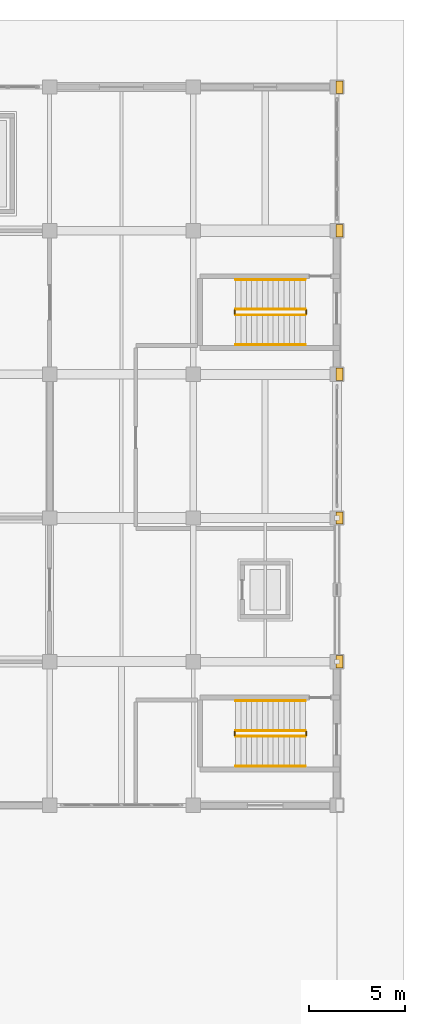
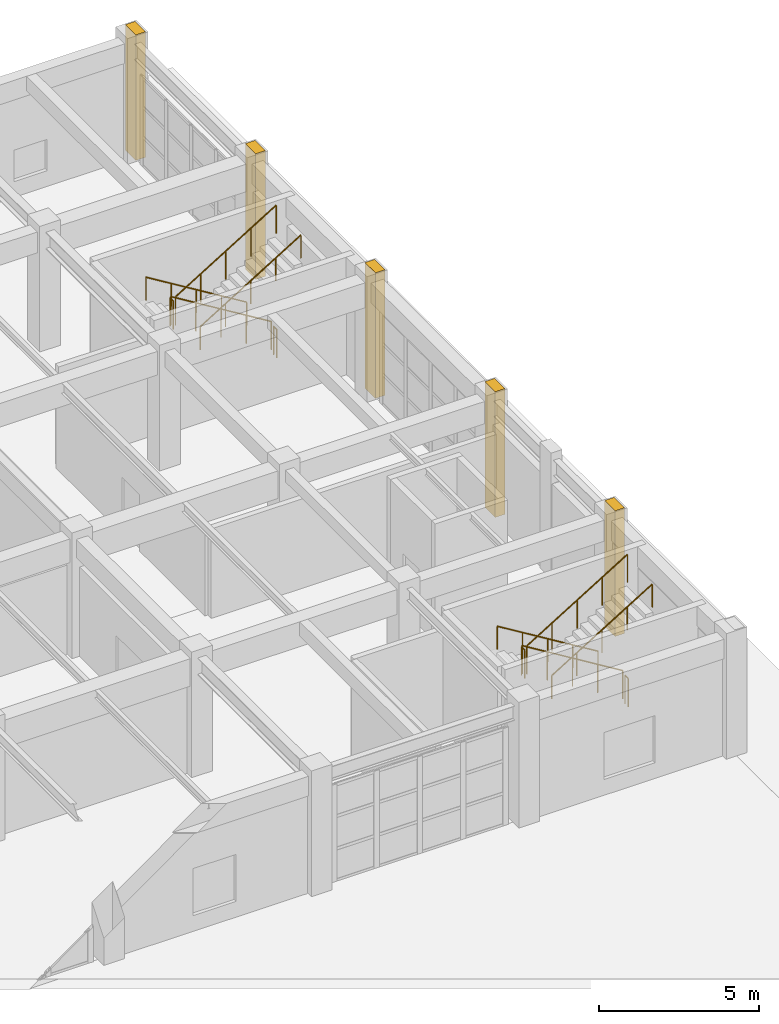
# One storey, part 121 of 122: 12 railings, 5 coverings.
"""IFC4 building model written with IfcOpenShell, lengths in metres."""

from ifc_helpers import new_model, si_unit, direction, frame, origin, origin_2d, place, context, subcontext, project, spatial, rectangle, circle, extrude, material, layer, layer_set, type_object, element, save


model = new_model("IFC4")

# Units and contexts
model_context = context("Model", 3, precision=1e-05, world=origin(), true_north=direction((0.0, 1.0)))
body_context = subcontext(model_context, "Body", "Model", "MODEL_VIEW")
ifc_project = project(units=[si_unit("LENGTHUNIT", "METRE"), si_unit("AREAUNIT", "SQUARE_METRE"), si_unit("VOLUMEUNIT", "CUBIC_METRE"), si_unit("PLANEANGLEUNIT", "RADIAN"), si_unit("MASSUNIT", "GRAM", prefix="KILO")], contexts=[model_context])

# Site, building, storey
site_placement = place(None, origin())
site = spatial("IfcSite", under=ifc_project, at=site_placement, CompositionType="ELEMENT")
building_placement = place(site_placement, origin())
building = spatial("IfcBuilding", under=site, at=building_placement, Name="Qasida Concert Hall", CompositionType="ELEMENT")
storey_placement = place(building_placement, origin())
storey = spatial("IfcBuildingStorey", under=building, at=storey_placement, Name="L00", CompositionType="ELEMENT", Elevation=0.0)

# Coverings
ifc_material_1 = material(Name="Projecting fluted Lebanese limestone Art Deco pilaster", Category="masonry")
ifc_layer_1 = layer(ifc_material_1, 0.35009765625, Name="Projecting fluted Lebanese limestone Art Deco pilaster")
ifc_layer_set_1 = layer_set([ifc_layer_1], Name="Projecting fluted Lebanese limestone Art Deco pilaster")
covering_type = type_object("IfcCoveringType", Name="CV-PIL-650", PredefinedType="CLADDING", material=ifc_layer_set_1)
for number, where, z_axis, x_axis, name in (
    (1, (165.135009765625, 82.5, 0.0), (0.0, 0.0, 1.0), (1.0, 0.0, 0.0), "L00 fluted limestone pilaster 0240"),
    (2, (165.135009765625, 90.0, 0.0), (0.0, 0.0, 1.0), (1.0, 0.0, 0.0), "L00 fluted limestone pilaster 0245"),
    (3, (165.135009765625, 97.5, 0.0), (0.0, 0.0, 1.0), (1.0, 0.0, 0.0), "L00 fluted limestone pilaster 0250"),
    (4, (165.135009765625, 105.0, 0.0), (0.0, 0.0, 1.0), (1.0, 0.0, 0.0), "L00 fluted limestone pilaster 0255"),
    (5, (165.135009765625, 112.5, 0.0), (0.0, 0.0, 1.0), (1.0, 0.0, 0.0), "L00 fluted limestone pilaster 0260"),
):
    element("IfcCovering", number, at=place(storey_placement, frame(where, z_axis=z_axis, x_axis=x_axis)), inside=storey, type_object=covering_type, Name=name, PredefinedType="CLADDING", context=body_context, shape_type="SweptSolid", body=[
        extrude(rectangle(XDim=0.35009765625, YDim=0.64990234375, at=origin_2d()), origin(), (0.0, 0.0, 1.0), 4.800048828125),
    ])

# Railings
ifc_material_2 = material(Name="Patinated architectural bronze and laminated glass infill", Category="glass")
ifc_layer_2 = layer(ifc_material_2, 0.080078125, Name="Patinated architectural bronze and laminated glass infill")
ifc_layer_set_2 = layer_set([ifc_layer_2], Name="Patinated architectural bronze and laminated glass infill")
railing_type_1 = type_object("IfcRailingType", Name="RL-GRD-1100", PredefinedType="GUARDRAIL", material=ifc_layer_set_2)
railing_1_placement = place(storey_placement, frame((163.35009765625, 78.89990234375, 0.17138671875)))
element("IfcRailing", 6, at=railing_1_placement, inside=storey, type_object=railing_type_1, Name="L00 ST-07 stair guard 1", PredefinedType="GUARDRAIL", context=body_context, shape_type="SweptSolid", body=[
    extrude(circle(Radius=0.02392578125, at=origin_2d()), frame((0.0, 0.0, 1.076171875), z_axis=(-0.852865859571, 0.0, 0.52213008492), x_axis=(0.0, -1.0, 0.0)), (0.0, 0.0, 1.0), 4.26806640625),
    extrude(circle(Radius=0.02099609375, at=origin_2d()), origin(), (0.0, 0.0, 1.0), 1.052001953125),
    extrude(circle(Radius=0.02099609375, at=origin_2d()), frame((-0.91015625, 0.0, 0.55712890625)), (0.0, 0.0, 1.0), 1.052001953125),
    extrude(circle(Radius=0.02099609375, at=origin_2d()), frame((-1.820068359375, 0.0, 1.1142578125)), (0.0, 0.0, 1.0), 1.052001953125),
    extrude(circle(Radius=0.02099609375, at=origin_2d()), frame((-2.72998046875, 0.0, 1.67138671875)), (0.0, 0.0, 1.0), 1.052001953125),
    extrude(circle(Radius=0.02099609375, at=origin_2d()), frame((-3.64013671875, 0.0, 2.228515625)), (0.0, 0.0, 1.0), 1.052001953125),
])
railing_2_placement = place(storey_placement, frame((159.659912109375, 78.85009765625, 2.39990234375)))
element("IfcRailing", 7, at=railing_2_placement, inside=storey, type_object=railing_type_1, Name="L00 ST-07 stair guard 2", PredefinedType="GUARDRAIL", context=body_context, shape_type="SweptSolid", body=[
    extrude(circle(Radius=0.02392578125, at=origin_2d()), frame((0.0, 0.0, 1.076171875), z_axis=(0.0, -1.0, 0.0), x_axis=(1.0, 0.0, 0.0)), (0.0, 0.0, 1.0), 0.2001953125),
    extrude(circle(Radius=0.02099609375, at=origin_2d()), origin(), (0.0, 0.0, 1.0), 1.052001953125),
    extrude(circle(Radius=0.02099609375, at=origin_2d()), frame((0.0, -0.2001953125, 0.0)), (0.0, 0.0, 1.0), 1.052001953125),
])
railing_3_placement = place(storey_placement, frame((159.7099609375, 78.60009765625, 2.571533203125)))
element("IfcRailing", 8, at=railing_3_placement, inside=storey, type_object=railing_type_1, Name="L00 ST-07 stair guard 3", PredefinedType="GUARDRAIL", context=body_context, shape_type="SweptSolid", body=[
    extrude(circle(Radius=0.02392578125, at=origin_2d()), frame((0.0, 0.0, 1.076171875), z_axis=(0.852865859571, 0.0, 0.52213008492), x_axis=(0.0, 1.0, 0.0)), (0.0, 0.0, 1.0), 4.26806640625),
    extrude(circle(Radius=0.02099609375, at=origin_2d()), origin(), (0.0, 0.0, 1.0), 1.052001953125),
    extrude(circle(Radius=0.02099609375, at=origin_2d()), frame((0.91015625, 0.0, 0.55712890625)), (0.0, 0.0, 1.0), 1.052001953125),
    extrude(circle(Radius=0.02099609375, at=origin_2d()), frame((1.820068359375, 0.0, 1.1142578125)), (0.0, 0.0, 1.0), 1.052001953125),
    extrude(circle(Radius=0.02099609375, at=origin_2d()), frame((2.72998046875, 0.0, 1.67138671875)), (0.0, 0.0, 1.0), 1.052001953125),
    extrude(circle(Radius=0.02099609375, at=origin_2d()), frame((3.64013671875, 0.0, 2.228515625)), (0.0, 0.0, 1.0), 1.052001953125),
])
railing_4_placement = place(storey_placement, frame((163.39990234375, 78.85009765625, 0.0)))
element("IfcRailing", 9, at=railing_4_placement, inside=storey, type_object=railing_type_1, Name="L00 ST-07 stair guard 4", PredefinedType="GUARDRAIL", context=body_context, shape_type="SweptSolid", body=[
    extrude(circle(Radius=0.02392578125, at=origin_2d()), frame((0.0, 0.0, 1.076171875), z_axis=(0.0, -1.0, 0.0), x_axis=(1.0, 0.0, 0.0)), (0.0, 0.0, 1.0), 0.2001953125),
    extrude(circle(Radius=0.02099609375, at=origin_2d()), origin(), (0.0, 0.0, 1.0), 1.052001953125),
    extrude(circle(Radius=0.02099609375, at=origin_2d()), frame((0.0, -0.2001953125, 0.0)), (0.0, 0.0, 1.0), 1.052001953125),
])
railing_5_placement = place(storey_placement, frame((163.35009765625, 100.89990234375, 0.17138671875)))
element("IfcRailing", 10, at=railing_5_placement, inside=storey, type_object=railing_type_1, Name="L00 ST-08 stair guard 1", PredefinedType="GUARDRAIL", context=body_context, shape_type="SweptSolid", body=[
    extrude(circle(Radius=0.02392578125, at=origin_2d()), frame((0.0, 0.0, 1.076171875), z_axis=(-0.852865859571, 0.0, 0.52213008492), x_axis=(0.0, -1.0, 0.0)), (0.0, 0.0, 1.0), 4.26806640625),
    extrude(circle(Radius=0.02099609375, at=origin_2d()), origin(), (0.0, 0.0, 1.0), 1.052001953125),
    extrude(circle(Radius=0.02099609375, at=origin_2d()), frame((-0.91015625, 0.0, 0.55712890625)), (0.0, 0.0, 1.0), 1.052001953125),
    extrude(circle(Radius=0.02099609375, at=origin_2d()), frame((-1.820068359375, 0.0, 1.1142578125)), (0.0, 0.0, 1.0), 1.052001953125),
    extrude(circle(Radius=0.02099609375, at=origin_2d()), frame((-2.72998046875, 0.0, 1.67138671875)), (0.0, 0.0, 1.0), 1.052001953125),
    extrude(circle(Radius=0.02099609375, at=origin_2d()), frame((-3.64013671875, 0.0, 2.228515625)), (0.0, 0.0, 1.0), 1.052001953125),
])
railing_6_placement = place(storey_placement, frame((159.659912109375, 100.85009765625, 2.39990234375)))
element("IfcRailing", 11, at=railing_6_placement, inside=storey, type_object=railing_type_1, Name="L00 ST-08 stair guard 2", PredefinedType="GUARDRAIL", context=body_context, shape_type="SweptSolid", body=[
    extrude(circle(Radius=0.02392578125, at=origin_2d()), frame((0.0, 0.0, 1.076171875), z_axis=(0.0, -1.0, 0.0), x_axis=(1.0, 0.0, 0.0)), (0.0, 0.0, 1.0), 0.2001953125),
    extrude(circle(Radius=0.02099609375, at=origin_2d()), origin(), (0.0, 0.0, 1.0), 1.052001953125),
    extrude(circle(Radius=0.02099609375, at=origin_2d()), frame((0.0, -0.2001953125, 0.0)), (0.0, 0.0, 1.0), 1.052001953125),
])
railing_7_placement = place(storey_placement, frame((159.7099609375, 100.60009765625, 2.571533203125)))
element("IfcRailing", 12, at=railing_7_placement, inside=storey, type_object=railing_type_1, Name="L00 ST-08 stair guard 3", PredefinedType="GUARDRAIL", context=body_context, shape_type="SweptSolid", body=[
    extrude(circle(Radius=0.02392578125, at=origin_2d()), frame((0.0, 0.0, 1.076171875), z_axis=(0.852865859571, 0.0, 0.52213008492), x_axis=(0.0, 1.0, 0.0)), (0.0, 0.0, 1.0), 4.26806640625),
    extrude(circle(Radius=0.02099609375, at=origin_2d()), origin(), (0.0, 0.0, 1.0), 1.052001953125),
    extrude(circle(Radius=0.02099609375, at=origin_2d()), frame((0.91015625, 0.0, 0.55712890625)), (0.0, 0.0, 1.0), 1.052001953125),
    extrude(circle(Radius=0.02099609375, at=origin_2d()), frame((1.820068359375, 0.0, 1.1142578125)), (0.0, 0.0, 1.0), 1.052001953125),
    extrude(circle(Radius=0.02099609375, at=origin_2d()), frame((2.72998046875, 0.0, 1.67138671875)), (0.0, 0.0, 1.0), 1.052001953125),
    extrude(circle(Radius=0.02099609375, at=origin_2d()), frame((3.64013671875, 0.0, 2.228515625)), (0.0, 0.0, 1.0), 1.052001953125),
])
railing_8_placement = place(storey_placement, frame((163.39990234375, 100.85009765625, 0.0)))
element("IfcRailing", 13, at=railing_8_placement, inside=storey, type_object=railing_type_1, Name="L00 ST-08 stair guard 4", PredefinedType="GUARDRAIL", context=body_context, shape_type="SweptSolid", body=[
    extrude(circle(Radius=0.02392578125, at=origin_2d()), frame((0.0, 0.0, 1.076171875), z_axis=(0.0, -1.0, 0.0), x_axis=(1.0, 0.0, 0.0)), (0.0, 0.0, 1.0), 0.2001953125),
    extrude(circle(Radius=0.02099609375, at=origin_2d()), origin(), (0.0, 0.0, 1.0), 1.052001953125),
    extrude(circle(Radius=0.02099609375, at=origin_2d()), frame((0.0, -0.2001953125, 0.0)), (0.0, 0.0, 1.0), 1.052001953125),
])
ifc_material_3 = material(Name="Patinated tubular architectural bronze", Category="steel")
ifc_layer_3 = layer(ifc_material_3, 0.050048828125, Name="Patinated tubular architectural bronze")
ifc_layer_set_3 = layer_set([ifc_layer_3], Name="Patinated tubular architectural bronze")
railing_type_2 = type_object("IfcRailingType", Name="RL-HND-900", PredefinedType="HANDRAIL", material=ifc_layer_set_3)
railing_9_placement = place(storey_placement, frame((163.35009765625, 80.449951171875, 0.17138671875)))
element("IfcRailing", 14, at=railing_9_placement, inside=storey, type_object=railing_type_2, Name="L00 ST-07 stair handrail 1", PredefinedType="HANDRAIL", context=body_context, shape_type="SweptSolid", body=[
    extrude(circle(Radius=0.02392578125, at=origin_2d()), frame((0.0, 0.0, 0.8759765625), z_axis=(-0.852865859571, 0.0, 0.52213008492), x_axis=(0.0, -1.0, 0.0)), (0.0, 0.0, 1.0), 4.26806640625),
    extrude(circle(Radius=0.02099609375, at=origin_2d()), origin(), (0.0, 0.0, 1.0), 0.851806640625),
    extrude(circle(Radius=0.02099609375, at=origin_2d()), frame((-0.91015625, 0.0, 0.55712890625)), (0.0, 0.0, 1.0), 0.851806640625),
    extrude(circle(Radius=0.02099609375, at=origin_2d()), frame((-1.820068359375, 0.0, 1.1142578125)), (0.0, 0.0, 1.0), 0.851806640625),
    extrude(circle(Radius=0.02099609375, at=origin_2d()), frame((-2.72998046875, 0.0, 1.67138671875)), (0.0, 0.0, 1.0), 0.851806640625),
    extrude(circle(Radius=0.02099609375, at=origin_2d()), frame((-3.64013671875, 0.0, 2.228515625)), (0.0, 0.0, 1.0), 0.851806640625),
])
railing_10_placement = place(storey_placement, frame((159.7099609375, 77.050048828125, 2.571533203125)))
element("IfcRailing", 15, at=railing_10_placement, inside=storey, type_object=railing_type_2, Name="L00 ST-07 stair handrail 2", PredefinedType="HANDRAIL", context=body_context, shape_type="SweptSolid", body=[
    extrude(circle(Radius=0.02392578125, at=origin_2d()), frame((0.0, 0.0, 0.8759765625), z_axis=(0.852865859571, 0.0, 0.52213008492), x_axis=(0.0, 1.0, 0.0)), (0.0, 0.0, 1.0), 4.26806640625),
    extrude(circle(Radius=0.02099609375, at=origin_2d()), origin(), (0.0, 0.0, 1.0), 0.851806640625),
    extrude(circle(Radius=0.02099609375, at=origin_2d()), frame((0.91015625, 0.0, 0.55712890625)), (0.0, 0.0, 1.0), 0.851806640625),
    extrude(circle(Radius=0.02099609375, at=origin_2d()), frame((1.820068359375, 0.0, 1.1142578125)), (0.0, 0.0, 1.0), 0.851806640625),
    extrude(circle(Radius=0.02099609375, at=origin_2d()), frame((2.72998046875, 0.0, 1.67138671875)), (0.0, 0.0, 1.0), 0.851806640625),
    extrude(circle(Radius=0.02099609375, at=origin_2d()), frame((3.64013671875, 0.0, 2.228515625)), (0.0, 0.0, 1.0), 0.851806640625),
])
railing_11_placement = place(storey_placement, frame((163.35009765625, 102.449951171875, 0.17138671875)))
element("IfcRailing", 16, at=railing_11_placement, inside=storey, type_object=railing_type_2, Name="L00 ST-08 stair handrail 1", PredefinedType="HANDRAIL", context=body_context, shape_type="SweptSolid", body=[
    extrude(circle(Radius=0.02392578125, at=origin_2d()), frame((0.0, 0.0, 0.8759765625), z_axis=(-0.852865859571, 0.0, 0.52213008492), x_axis=(0.0, -1.0, 0.0)), (0.0, 0.0, 1.0), 4.26806640625),
    extrude(circle(Radius=0.02099609375, at=origin_2d()), origin(), (0.0, 0.0, 1.0), 0.851806640625),
    extrude(circle(Radius=0.02099609375, at=origin_2d()), frame((-0.91015625, 0.0, 0.55712890625)), (0.0, 0.0, 1.0), 0.851806640625),
    extrude(circle(Radius=0.02099609375, at=origin_2d()), frame((-1.820068359375, 0.0, 1.1142578125)), (0.0, 0.0, 1.0), 0.851806640625),
    extrude(circle(Radius=0.02099609375, at=origin_2d()), frame((-2.72998046875, 0.0, 1.67138671875)), (0.0, 0.0, 1.0), 0.851806640625),
    extrude(circle(Radius=0.02099609375, at=origin_2d()), frame((-3.64013671875, 0.0, 2.228515625)), (0.0, 0.0, 1.0), 0.851806640625),
])
railing_12_placement = place(storey_placement, frame((159.7099609375, 99.050048828125, 2.571533203125)))
element("IfcRailing", 17, at=railing_12_placement, inside=storey, type_object=railing_type_2, Name="L00 ST-08 stair handrail 2", PredefinedType="HANDRAIL", context=body_context, shape_type="SweptSolid", body=[
    extrude(circle(Radius=0.02392578125, at=origin_2d()), frame((0.0, 0.0, 0.8759765625), z_axis=(0.852865859571, 0.0, 0.52213008492), x_axis=(0.0, 1.0, 0.0)), (0.0, 0.0, 1.0), 4.26806640625),
    extrude(circle(Radius=0.02099609375, at=origin_2d()), origin(), (0.0, 0.0, 1.0), 0.851806640625),
    extrude(circle(Radius=0.02099609375, at=origin_2d()), frame((0.91015625, 0.0, 0.55712890625)), (0.0, 0.0, 1.0), 0.851806640625),
    extrude(circle(Radius=0.02099609375, at=origin_2d()), frame((1.820068359375, 0.0, 1.1142578125)), (0.0, 0.0, 1.0), 0.851806640625),
    extrude(circle(Radius=0.02099609375, at=origin_2d()), frame((2.72998046875, 0.0, 1.67138671875)), (0.0, 0.0, 1.0), 0.851806640625),
    extrude(circle(Radius=0.02099609375, at=origin_2d()), frame((3.64013671875, 0.0, 2.228515625)), (0.0, 0.0, 1.0), 0.851806640625),
])

save(model, "model.ifc")
